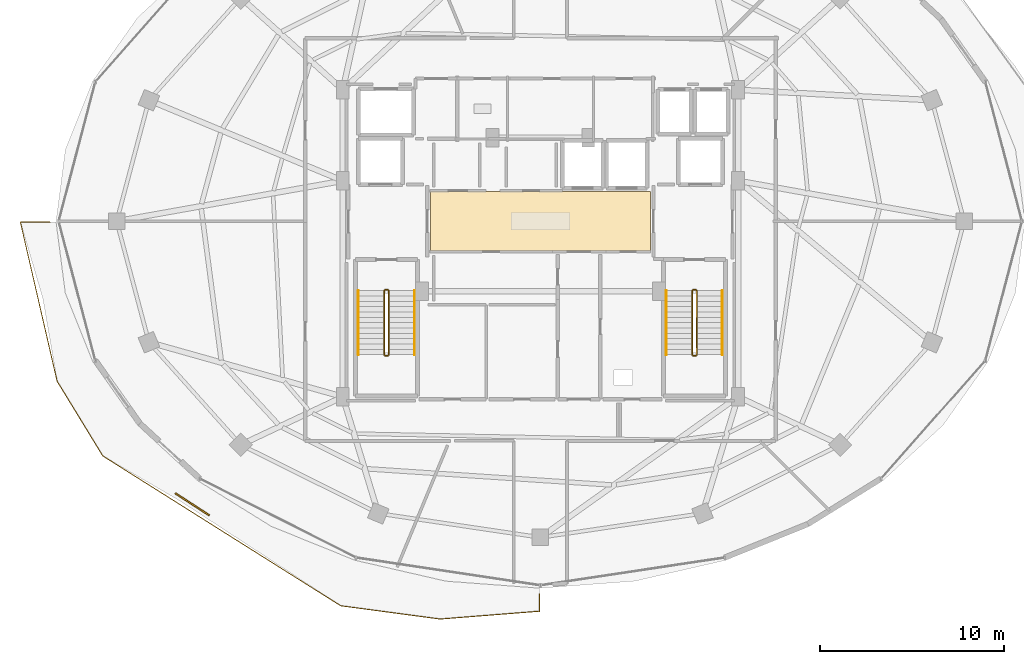
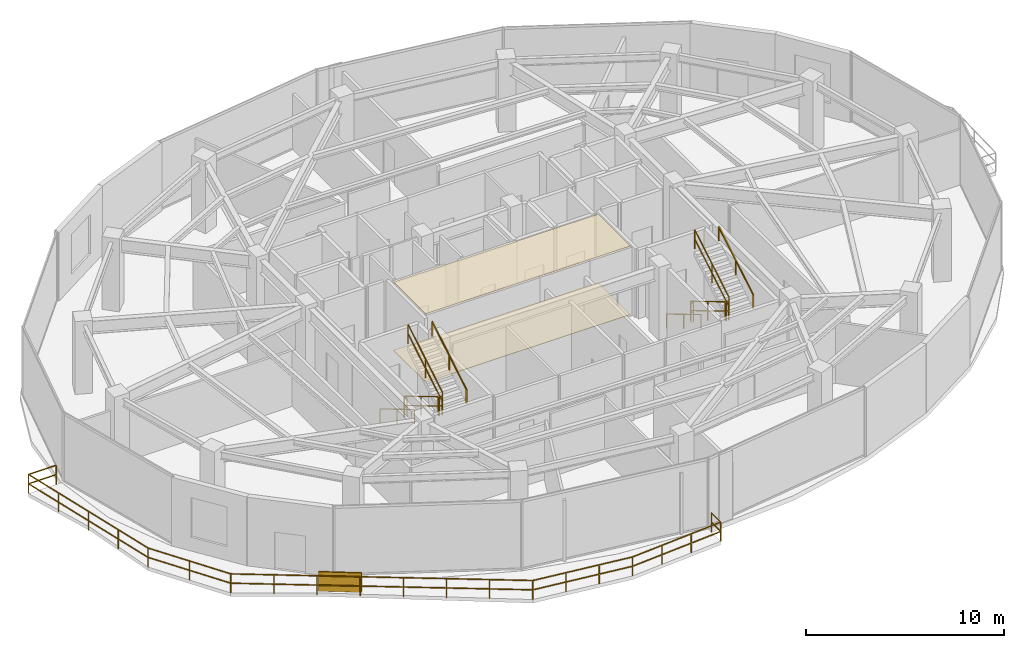
# One storey, part 25 of 27: 14 railings, 2 coverings, 1 shading device.
"""IFC4 building model written with IfcOpenShell, lengths in metres."""

from ifc_helpers import new_model, si_unit, direction, frame, origin, origin_2d, place, context, subcontext, project, spatial, polyline, rectangle, outline, extrude, material, layer, layer_set, type_object, element, save


model = new_model("IFC4")

# Units and contexts
model_context = context("Model", 3, precision=1e-05, world=origin(), true_north=direction((0.0, 1.0)))
body_context = subcontext(model_context, "Body", "Model", "MODEL_VIEW")
ifc_project = project(units=[si_unit("LENGTHUNIT", "METRE"), si_unit("AREAUNIT", "SQUARE_METRE"), si_unit("VOLUMEUNIT", "CUBIC_METRE"), si_unit("PLANEANGLEUNIT", "RADIAN"), si_unit("MASSUNIT", "GRAM", prefix="KILO")], contexts=[model_context])

# Site, building, storey
site_placement = place(None, origin())
site = spatial("IfcSite", under=ifc_project, at=site_placement, CompositionType="ELEMENT")
building_placement = place(site_placement, origin())
building = spatial("IfcBuilding", under=site, at=building_placement, Name="Vorneva Point Tower", CompositionType="ELEMENT")
storey_placement = place(building_placement, frame((0.0, 0.0, 229.75)))
storey = spatial("IfcBuildingStorey", under=building, at=storey_placement, Name="L62", CompositionType="ELEMENT", Elevation=229.75)

# Coverings
ifc_material_1 = material(Name="Perforated acoustic aluminium baffle ceiling", Category="aluminium")
ifc_layer_1 = layer(ifc_material_1, 0.030029296875)
ifc_layer_set_1 = layer_set([ifc_layer_1], Name="Perforated acoustic aluminium baffle ceiling")
covering_type_1 = type_object("IfcCoveringType", Name="COV-CEIL-BAF", PredefinedType="CEILING", material=ifc_layer_set_1)
covering_1_placement = place(storey_placement, frame((0.0, 0.0, 4.2099609375)))
element("IfcCovering", 1, at=covering_1_placement, inside=storey, type_object=covering_type_1, Name="L62 Lift Lobby Acoustic Baffle Ceiling", PredefinedType="CEILING", context=body_context, shape_type="SweptSolid", body=[
    extrude(outline(polyline([(32.02001953125, 24.3701171875), (43.97998046875, 24.3701171875), (43.97998046875, 27.6298828125), (32.02001953125, 27.6298828125), (32.02001953125, 24.3701171875)])), origin(), (0.0, 0.0, 1.0), 0.03515625),
])
ifc_material_2 = material(Name="Polished Ural granite terrazzo", Category="masonry")
ifc_layer_2 = layer(ifc_material_2, 0.02490234375)
ifc_layer_set_2 = layer_set([ifc_layer_2], Name="Polished Ural granite terrazzo")
covering_type_2 = type_object("IfcCoveringType", Name="COV-FLR-TRZ", PredefinedType="FLOORING", material=ifc_layer_set_2)
covering_2_placement = place(storey_placement, frame((0.0, 0.0, -0.0048828125)))
element("IfcCovering", 2, at=covering_2_placement, inside=storey, type_object=covering_type_2, Name="L62 Lift Lobby Floor Finish", PredefinedType="FLOORING", context=body_context, shape_type="SweptSolid", body=[
    extrude(outline(polyline([(32.02001953125, 24.3701171875), (43.97998046875, 24.3701171875), (43.97998046875, 27.6298828125), (32.02001953125, 27.6298828125), (32.02001953125, 24.3701171875)])), origin(), (0.0, 0.0, 1.0), 0.02978515625),
])

# Railings
ifc_material_3 = material(Name="Pale anodised aluminium", Category="aluminium")
railing_type_1 = type_object("IfcRailingType", Name="RL-BAL-1200", PredefinedType="BALUSTRADE", material=ifc_material_3)
railing_1_placement = place(storey_placement, frame((37.949951171875, 4.7861328125, 0.0)))
element("IfcRailing", 3, at=railing_1_placement, inside=storey, type_object=railing_type_1, Name="L62 Wave Balcony Balustrade SW.1", PredefinedType="BALUSTRADE", context=body_context, shape_type="SweptSolid", body=[
    extrude(rectangle(XDim=0.048095703125, YDim=0.048095703125, at=origin_2d()), frame((0.0, 0.0, 1.17578125), z_axis=(0.0, 1.0, 0.0), x_axis=(-1.0, 0.0, 0.0)), (0.0, 0.0, 1.0), 0.936767578125),
    extrude(rectangle(XDim=0.048095703125, YDim=0.048095703125, at=origin_2d()), frame((0.0, 0.0, 0.60009765625), z_axis=(0.0, 1.0, 0.0), x_axis=(-1.0, 0.0, 0.0)), (0.0, 0.0, 1.0), 0.936767578125),
    extrude(rectangle(XDim=0.0419921875, YDim=0.0419921875, at=origin_2d()), origin(), (0.0, 0.0, 1.0), 1.15185546875),
    extrude(rectangle(XDim=0.0419921875, YDim=0.0419921875, at=origin_2d()), frame((0.0, 0.936767578125, 0.0)), (0.0, 0.0, 1.0), 1.15185546875),
])
railing_2_placement = place(storey_placement, frame((11.333740234375, 25.949951171875, 0.0)))
element("IfcRailing", 4, at=railing_2_placement, inside=storey, type_object=railing_type_1, Name="L62 Wave Balcony Balustrade SW.2", PredefinedType="BALUSTRADE", context=body_context, shape_type="SweptSolid", body=[
    extrude(rectangle(XDim=0.048095703125, YDim=0.048095703125, at=origin_2d()), frame((0.0, 0.0, 1.17578125), z_axis=(-1.0, 0.0, 0.0), x_axis=(0.0, -1.0, 0.0)), (0.0, 0.0, 1.0), 1.619140625),
    extrude(rectangle(XDim=0.048095703125, YDim=0.048095703125, at=origin_2d()), frame((0.0, 0.0, 0.60009765625), z_axis=(-1.0, 0.0, 0.0), x_axis=(0.0, -1.0, 0.0)), (0.0, 0.0, 1.0), 1.619140625),
    extrude(rectangle(XDim=0.048095703125, YDim=0.048095703125, at=origin_2d()), frame((-1.619140625, 0.0, 1.17578125), z_axis=(0.224690824874, -0.974430106892, 0.0), x_axis=(0.974430106892, 0.224690824874, 0.0)), (0.0, 0.0, 1.0), 8.87939453125),
    extrude(rectangle(XDim=0.048095703125, YDim=0.048095703125, at=origin_2d()), frame((-1.619140625, 0.0, 0.60009765625), z_axis=(0.224690824874, -0.974430106892, 0.0), x_axis=(0.974430106892, 0.224690824874, 0.0)), (0.0, 0.0, 1.0), 8.87939453125),
    extrude(rectangle(XDim=0.048095703125, YDim=0.048095703125, at=origin_2d()), frame((0.3759765625, -8.65234375, 1.17578125), z_axis=(0.52144793487, -0.85328310145, 0.0), x_axis=(0.85328310145, 0.52144793487, 0.0)), (0.0, 0.0, 1.0), 4.76025390625),
    extrude(rectangle(XDim=0.048095703125, YDim=0.048095703125, at=origin_2d()), frame((0.3759765625, -8.65234375, 0.60009765625), z_axis=(0.52144793487, -0.85328310145, 0.0), x_axis=(0.85328310145, 0.52144793487, 0.0)), (0.0, 0.0, 1.0), 4.76025390625),
    extrude(rectangle(XDim=0.048095703125, YDim=0.048095703125, at=origin_2d()), frame((2.858154296875, -12.714111328125, 1.17578125), z_axis=(0.8461672852, -0.532917372073, 0.0), x_axis=(0.532917372073, 0.8461672852, 0.0)), (0.0, 0.0, 1.0), 15.30078125),
    extrude(rectangle(XDim=0.048095703125, YDim=0.048095703125, at=origin_2d()), frame((2.858154296875, -12.714111328125, 0.60009765625), z_axis=(0.8461672852, -0.532917372073, 0.0), x_axis=(0.532917372073, 0.8461672852, 0.0)), (0.0, 0.0, 1.0), 15.30078125),
    extrude(rectangle(XDim=0.048095703125, YDim=0.048095703125, at=origin_2d()), frame((15.80517578125, -20.8681640625, 1.17578125), z_axis=(0.991224384092, -0.13219009184, 0.0), x_axis=(0.13219009184, 0.991224384092, 0.0)), (0.0, 0.0, 1.0), 5.45751953125),
    extrude(rectangle(XDim=0.048095703125, YDim=0.048095703125, at=origin_2d()), frame((15.80517578125, -20.8681640625, 0.60009765625), z_axis=(0.991224384092, -0.13219009184, 0.0), x_axis=(0.13219009184, 0.991224384092, 0.0)), (0.0, 0.0, 1.0), 5.45751953125),
    extrude(rectangle(XDim=0.048095703125, YDim=0.048095703125, at=origin_2d()), frame((21.21484375, -21.589599609375, 1.17578125), z_axis=(0.996907445198, 0.07858464041, 0.0), x_axis=(-0.07858464041, 0.996907445198, 0.0)), (0.0, 0.0, 1.0), 5.418212890625),
    extrude(rectangle(XDim=0.048095703125, YDim=0.048095703125, at=origin_2d()), frame((21.21484375, -21.589599609375, 0.60009765625), z_axis=(0.996907445198, 0.07858464041, 0.0), x_axis=(-0.07858464041, 0.996907445198, 0.0)), (0.0, 0.0, 1.0), 5.418212890625),
    extrude(rectangle(XDim=0.0419921875, YDim=0.0419921875, at=origin_2d()), origin(), (0.0, 0.0, 1.0), 1.15185546875),
    extrude(rectangle(XDim=0.0419921875, YDim=0.0419921875, at=origin_2d()), frame((-1.619140625, 0.0, 0.0)), (0.0, 0.0, 1.0), 1.15185546875),
    extrude(rectangle(XDim=0.0419921875, YDim=0.0419921875, at=origin_2d()), frame((-1.120361328125, -2.1630859375, 0.0)), (0.0, 0.0, 1.0), 1.15185546875),
    extrude(rectangle(XDim=0.0419921875, YDim=0.0419921875, at=origin_2d()), frame((-0.62158203125, -4.326171875, 0.0)), (0.0, 0.0, 1.0), 1.15185546875),
    extrude(rectangle(XDim=0.0419921875, YDim=0.0419921875, at=origin_2d()), frame((-0.122802734375, -6.4892578125, 0.0)), (0.0, 0.0, 1.0), 1.15185546875),
    extrude(rectangle(XDim=0.0419921875, YDim=0.0419921875, at=origin_2d()), frame((0.3759765625, -8.65234375, 0.0)), (0.0, 0.0, 1.0), 1.15185546875),
    extrude(rectangle(XDim=0.0419921875, YDim=0.0419921875, at=origin_2d()), frame((1.6171875, -10.68310546875, 0.0)), (0.0, 0.0, 1.0), 1.15185546875),
    extrude(rectangle(XDim=0.0419921875, YDim=0.0419921875, at=origin_2d()), frame((2.858154296875, -12.714111328125, 0.0)), (0.0, 0.0, 1.0), 1.15185546875),
    extrude(rectangle(XDim=0.0419921875, YDim=0.0419921875, at=origin_2d()), frame((4.707763671875, -13.87890625, 0.0)), (0.0, 0.0, 1.0), 1.15185546875),
    extrude(rectangle(XDim=0.0419921875, YDim=0.0419921875, at=origin_2d()), frame((6.557373046875, -15.0439453125, 0.0)), (0.0, 0.0, 1.0), 1.15185546875),
    extrude(rectangle(XDim=0.0419921875, YDim=0.0419921875, at=origin_2d()), frame((8.406982421875, -16.208740234375, 0.0)), (0.0, 0.0, 1.0), 1.15185546875),
    extrude(rectangle(XDim=0.0419921875, YDim=0.0419921875, at=origin_2d()), frame((10.25634765625, -17.37353515625, 0.0)), (0.0, 0.0, 1.0), 1.15185546875),
    extrude(rectangle(XDim=0.0419921875, YDim=0.0419921875, at=origin_2d()), frame((12.10595703125, -18.538330078125, 0.0)), (0.0, 0.0, 1.0), 1.15185546875),
    extrude(rectangle(XDim=0.0419921875, YDim=0.0419921875, at=origin_2d()), frame((13.95556640625, -19.703369140625, 0.0)), (0.0, 0.0, 1.0), 1.15185546875),
    extrude(rectangle(XDim=0.0419921875, YDim=0.0419921875, at=origin_2d()), frame((15.80517578125, -20.8681640625, 0.0)), (0.0, 0.0, 1.0), 1.15185546875),
    extrude(rectangle(XDim=0.0419921875, YDim=0.0419921875, at=origin_2d()), frame((17.6083984375, -21.108642578125, 0.0)), (0.0, 0.0, 1.0), 1.15185546875),
    extrude(rectangle(XDim=0.0419921875, YDim=0.0419921875, at=origin_2d()), frame((19.41162109375, -21.34912109375, 0.0)), (0.0, 0.0, 1.0), 1.15185546875),
    extrude(rectangle(XDim=0.0419921875, YDim=0.0419921875, at=origin_2d()), frame((21.21484375, -21.589599609375, 0.0)), (0.0, 0.0, 1.0), 1.15185546875),
    extrude(rectangle(XDim=0.0419921875, YDim=0.0419921875, at=origin_2d()), frame((23.015380859375, -21.44775390625, 0.0)), (0.0, 0.0, 1.0), 1.15185546875),
    extrude(rectangle(XDim=0.0419921875, YDim=0.0419921875, at=origin_2d()), frame((24.815673828125, -21.3056640625, 0.0)), (0.0, 0.0, 1.0), 1.15185546875),
    extrude(rectangle(XDim=0.0419921875, YDim=0.0419921875, at=origin_2d()), frame((26.6162109375, -21.163818359375, 0.0)), (0.0, 0.0, 1.0), 1.15185546875),
])
ifc_material_4 = material(Name="Brushed stainless steel S304", Category="steel")
railing_type_2 = type_object("IfcRailingType", Name="RL-HND-920", PredefinedType="HANDRAIL", material=ifc_material_4)
railing_3_placement = place(storey_placement, frame((28.10009765625, 22.219970703125, 0.173095703125)))
element("IfcRailing", 5, at=railing_3_placement, inside=storey, type_object=railing_type_2, Name="L62 ST1 stair handrail 1", PredefinedType="HANDRAIL", context=body_context, shape_type="SweptSolid", body=[
    extrude(rectangle(XDim=0.048095703125, YDim=0.048095703125, at=origin_2d()), frame((0.0, 0.0, 0.8759765625), z_axis=(0.0, -0.858697190188, 0.512483302717), x_axis=(1.0, 0.0, 0.0)), (0.0, 0.0, 1.0), 4.052734375),
    extrude(rectangle(XDim=0.0419921875, YDim=0.0419921875, at=origin_2d()), origin(), (0.0, 0.0, 1.0), 0.851806640625),
    extrude(rectangle(XDim=0.0419921875, YDim=0.0419921875, at=origin_2d()), frame((0.0, -1.739990234375, 1.03857421875)), (0.0, 0.0, 1.0), 0.851806640625),
    extrude(rectangle(XDim=0.0419921875, YDim=0.0419921875, at=origin_2d()), frame((0.0, -3.47998046875, 2.076904296875)), (0.0, 0.0, 1.0), 0.851806640625),
])
railing_4_placement = place(storey_placement, frame((31.14990234375, 18.739990234375, 2.423095703125)))
element("IfcRailing", 6, at=railing_4_placement, inside=storey, type_object=railing_type_2, Name="L62 ST1 stair handrail 2", PredefinedType="HANDRAIL", context=body_context, shape_type="SweptSolid", body=[
    extrude(rectangle(XDim=0.048095703125, YDim=0.048095703125, at=origin_2d()), frame((0.0, 0.0, 0.8759765625), z_axis=(0.0, 0.858697190188, 0.512483302717), x_axis=(-1.0, 0.0, 0.0)), (0.0, 0.0, 1.0), 4.052734375),
    extrude(rectangle(XDim=0.0419921875, YDim=0.0419921875, at=origin_2d()), origin(), (0.0, 0.0, 1.0), 0.851806640625),
    extrude(rectangle(XDim=0.0419921875, YDim=0.0419921875, at=origin_2d()), frame((0.0, 1.739990234375, 1.03857421875)), (0.0, 0.0, 1.0), 0.851806640625),
    extrude(rectangle(XDim=0.0419921875, YDim=0.0419921875, at=origin_2d()), frame((0.0, 3.47998046875, 2.076904296875)), (0.0, 0.0, 1.0), 0.851806640625),
])
railing_5_placement = place(storey_placement, frame((44.85009765625, 22.219970703125, 0.173095703125)))
element("IfcRailing", 7, at=railing_5_placement, inside=storey, type_object=railing_type_2, Name="L62 ST2 stair handrail 1", PredefinedType="HANDRAIL", context=body_context, shape_type="SweptSolid", body=[
    extrude(rectangle(XDim=0.048095703125, YDim=0.048095703125, at=origin_2d()), frame((0.0, 0.0, 0.8759765625), z_axis=(0.0, -0.858697190188, 0.512483302717), x_axis=(1.0, 0.0, 0.0)), (0.0, 0.0, 1.0), 4.052734375),
    extrude(rectangle(XDim=0.0419921875, YDim=0.0419921875, at=origin_2d()), origin(), (0.0, 0.0, 1.0), 0.851806640625),
    extrude(rectangle(XDim=0.0419921875, YDim=0.0419921875, at=origin_2d()), frame((0.0, -1.739990234375, 1.03857421875)), (0.0, 0.0, 1.0), 0.851806640625),
    extrude(rectangle(XDim=0.0419921875, YDim=0.0419921875, at=origin_2d()), frame((0.0, -3.47998046875, 2.076904296875)), (0.0, 0.0, 1.0), 0.851806640625),
])
railing_6_placement = place(storey_placement, frame((47.89990234375, 18.739990234375, 2.423095703125)))
element("IfcRailing", 8, at=railing_6_placement, inside=storey, type_object=railing_type_2, Name="L62 ST2 stair handrail 2", PredefinedType="HANDRAIL", context=body_context, shape_type="SweptSolid", body=[
    extrude(rectangle(XDim=0.048095703125, YDim=0.048095703125, at=origin_2d()), frame((0.0, 0.0, 0.8759765625), z_axis=(0.0, 0.858697190188, 0.512483302717), x_axis=(-1.0, 0.0, 0.0)), (0.0, 0.0, 1.0), 4.052734375),
    extrude(rectangle(XDim=0.0419921875, YDim=0.0419921875, at=origin_2d()), origin(), (0.0, 0.0, 1.0), 0.851806640625),
    extrude(rectangle(XDim=0.0419921875, YDim=0.0419921875, at=origin_2d()), frame((0.0, 1.739990234375, 1.03857421875)), (0.0, 0.0, 1.0), 0.851806640625),
    extrude(rectangle(XDim=0.0419921875, YDim=0.0419921875, at=origin_2d()), frame((0.0, 3.47998046875, 2.076904296875)), (0.0, 0.0, 1.0), 0.851806640625),
])
railing_type_3 = type_object("IfcRailingType", Name="RL-STG-1100", PredefinedType="GUARDRAIL", material=ifc_material_4)
railing_7_placement = place(storey_placement, frame((29.5, 22.219970703125, 0.173095703125)))
element("IfcRailing", 9, at=railing_7_placement, inside=storey, type_object=railing_type_3, Name="L62 ST1 stair guard 1", PredefinedType="GUARDRAIL", context=body_context, shape_type="SweptSolid", body=[
    extrude(rectangle(XDim=0.048095703125, YDim=0.048095703125, at=origin_2d()), frame((0.0, 0.0, 1.17578125), z_axis=(0.0, -0.858697190188, 0.512483302717), x_axis=(1.0, 0.0, 0.0)), (0.0, 0.0, 1.0), 4.052734375),
    extrude(rectangle(XDim=0.048095703125, YDim=0.048095703125, at=origin_2d()), frame((0.0, 0.0, 0.60009765625), z_axis=(0.0, -0.858697190188, 0.512483302717), x_axis=(1.0, 0.0, 0.0)), (0.0, 0.0, 1.0), 4.052734375),
    extrude(rectangle(XDim=0.0419921875, YDim=0.0419921875, at=origin_2d()), origin(), (0.0, 0.0, 1.0), 1.15185546875),
    extrude(rectangle(XDim=0.0419921875, YDim=0.0419921875, at=origin_2d()), frame((0.0, -1.739990234375, 1.03857421875)), (0.0, 0.0, 1.0), 1.15185546875),
    extrude(rectangle(XDim=0.0419921875, YDim=0.0419921875, at=origin_2d()), frame((0.0, -3.47998046875, 2.076904296875)), (0.0, 0.0, 1.0), 1.15185546875),
])
railing_8_placement = place(storey_placement, frame((29.550048828125, 18.68994140625, 2.25)))
element("IfcRailing", 10, at=railing_8_placement, inside=storey, type_object=railing_type_3, Name="L62 ST1 stair guard 2", PredefinedType="GUARDRAIL", context=body_context, shape_type="SweptSolid", body=[
    extrude(rectangle(XDim=0.048095703125, YDim=0.048095703125, at=origin_2d()), frame((0.0, 0.0, 1.17578125), z_axis=(1.0, 0.0, 0.0), x_axis=(0.0, 1.0, 0.0)), (0.0, 0.0, 1.0), 0.14990234375),
    extrude(rectangle(XDim=0.048095703125, YDim=0.048095703125, at=origin_2d()), frame((0.0, 0.0, 0.60009765625), z_axis=(1.0, 0.0, 0.0), x_axis=(0.0, 1.0, 0.0)), (0.0, 0.0, 1.0), 0.14990234375),
    extrude(rectangle(XDim=0.0419921875, YDim=0.0419921875, at=origin_2d()), origin(), (0.0, 0.0, 1.0), 1.15185546875),
    extrude(rectangle(XDim=0.0419921875, YDim=0.0419921875, at=origin_2d()), frame((0.14990234375, 0.0, 0.0)), (0.0, 0.0, 1.0), 1.15185546875),
])
railing_9_placement = place(storey_placement, frame((29.75, 18.739990234375, 2.423095703125)))
element("IfcRailing", 11, at=railing_9_placement, inside=storey, type_object=railing_type_3, Name="L62 ST1 stair guard 3", PredefinedType="GUARDRAIL", context=body_context, shape_type="SweptSolid", body=[
    extrude(rectangle(XDim=0.048095703125, YDim=0.048095703125, at=origin_2d()), frame((0.0, 0.0, 1.17578125), z_axis=(0.0, 0.858697190188, 0.512483302717), x_axis=(-1.0, 0.0, 0.0)), (0.0, 0.0, 1.0), 4.052734375),
    extrude(rectangle(XDim=0.048095703125, YDim=0.048095703125, at=origin_2d()), frame((0.0, 0.0, 0.60009765625), z_axis=(0.0, 0.858697190188, 0.512483302717), x_axis=(-1.0, 0.0, 0.0)), (0.0, 0.0, 1.0), 4.052734375),
    extrude(rectangle(XDim=0.0419921875, YDim=0.0419921875, at=origin_2d()), origin(), (0.0, 0.0, 1.0), 1.15185546875),
    extrude(rectangle(XDim=0.0419921875, YDim=0.0419921875, at=origin_2d()), frame((0.0, 1.739990234375, 1.03857421875)), (0.0, 0.0, 1.0), 1.15185546875),
    extrude(rectangle(XDim=0.0419921875, YDim=0.0419921875, at=origin_2d()), frame((0.0, 3.47998046875, 2.076904296875)), (0.0, 0.0, 1.0), 1.15185546875),
])
railing_10_placement = place(storey_placement, frame((29.550048828125, 22.27001953125, 0.0)))
element("IfcRailing", 12, at=railing_10_placement, inside=storey, type_object=railing_type_3, Name="L62 ST1 stair guard 4", PredefinedType="GUARDRAIL", context=body_context, shape_type="SweptSolid", body=[
    extrude(rectangle(XDim=0.048095703125, YDim=0.048095703125, at=origin_2d()), frame((0.0, 0.0, 1.17578125), z_axis=(1.0, 0.0, 0.0), x_axis=(0.0, 1.0, 0.0)), (0.0, 0.0, 1.0), 0.14990234375),
    extrude(rectangle(XDim=0.048095703125, YDim=0.048095703125, at=origin_2d()), frame((0.0, 0.0, 0.60009765625), z_axis=(1.0, 0.0, 0.0), x_axis=(0.0, 1.0, 0.0)), (0.0, 0.0, 1.0), 0.14990234375),
    extrude(rectangle(XDim=0.0419921875, YDim=0.0419921875, at=origin_2d()), origin(), (0.0, 0.0, 1.0), 1.15185546875),
    extrude(rectangle(XDim=0.0419921875, YDim=0.0419921875, at=origin_2d()), frame((0.14990234375, 0.0, 0.0)), (0.0, 0.0, 1.0), 1.15185546875),
])
railing_11_placement = place(storey_placement, frame((46.25, 22.219970703125, 0.173095703125)))
element("IfcRailing", 13, at=railing_11_placement, inside=storey, type_object=railing_type_3, Name="L62 ST2 stair guard 1", PredefinedType="GUARDRAIL", context=body_context, shape_type="SweptSolid", body=[
    extrude(rectangle(XDim=0.048095703125, YDim=0.048095703125, at=origin_2d()), frame((0.0, 0.0, 1.17578125), z_axis=(0.0, -0.858697190188, 0.512483302717), x_axis=(1.0, 0.0, 0.0)), (0.0, 0.0, 1.0), 4.052734375),
    extrude(rectangle(XDim=0.048095703125, YDim=0.048095703125, at=origin_2d()), frame((0.0, 0.0, 0.60009765625), z_axis=(0.0, -0.858697190188, 0.512483302717), x_axis=(1.0, 0.0, 0.0)), (0.0, 0.0, 1.0), 4.052734375),
    extrude(rectangle(XDim=0.0419921875, YDim=0.0419921875, at=origin_2d()), origin(), (0.0, 0.0, 1.0), 1.15185546875),
    extrude(rectangle(XDim=0.0419921875, YDim=0.0419921875, at=origin_2d()), frame((0.0, -1.739990234375, 1.03857421875)), (0.0, 0.0, 1.0), 1.15185546875),
    extrude(rectangle(XDim=0.0419921875, YDim=0.0419921875, at=origin_2d()), frame((0.0, -3.47998046875, 2.076904296875)), (0.0, 0.0, 1.0), 1.15185546875),
])
railing_12_placement = place(storey_placement, frame((46.300048828125, 18.68994140625, 2.25)))
element("IfcRailing", 14, at=railing_12_placement, inside=storey, type_object=railing_type_3, Name="L62 ST2 stair guard 2", PredefinedType="GUARDRAIL", context=body_context, shape_type="SweptSolid", body=[
    extrude(rectangle(XDim=0.048095703125, YDim=0.048095703125, at=origin_2d()), frame((0.0, 0.0, 1.17578125), z_axis=(1.0, 0.0, 0.0), x_axis=(0.0, 1.0, 0.0)), (0.0, 0.0, 1.0), 0.14990234375),
    extrude(rectangle(XDim=0.048095703125, YDim=0.048095703125, at=origin_2d()), frame((0.0, 0.0, 0.60009765625), z_axis=(1.0, 0.0, 0.0), x_axis=(0.0, 1.0, 0.0)), (0.0, 0.0, 1.0), 0.14990234375),
    extrude(rectangle(XDim=0.0419921875, YDim=0.0419921875, at=origin_2d()), origin(), (0.0, 0.0, 1.0), 1.15185546875),
    extrude(rectangle(XDim=0.0419921875, YDim=0.0419921875, at=origin_2d()), frame((0.14990234375, 0.0, 0.0)), (0.0, 0.0, 1.0), 1.15185546875),
])
railing_13_placement = place(storey_placement, frame((46.5, 18.739990234375, 2.423095703125)))
element("IfcRailing", 15, at=railing_13_placement, inside=storey, type_object=railing_type_3, Name="L62 ST2 stair guard 3", PredefinedType="GUARDRAIL", context=body_context, shape_type="SweptSolid", body=[
    extrude(rectangle(XDim=0.048095703125, YDim=0.048095703125, at=origin_2d()), frame((0.0, 0.0, 1.17578125), z_axis=(0.0, 0.858697190188, 0.512483302717), x_axis=(-1.0, 0.0, 0.0)), (0.0, 0.0, 1.0), 4.052734375),
    extrude(rectangle(XDim=0.048095703125, YDim=0.048095703125, at=origin_2d()), frame((0.0, 0.0, 0.60009765625), z_axis=(0.0, 0.858697190188, 0.512483302717), x_axis=(-1.0, 0.0, 0.0)), (0.0, 0.0, 1.0), 4.052734375),
    extrude(rectangle(XDim=0.0419921875, YDim=0.0419921875, at=origin_2d()), origin(), (0.0, 0.0, 1.0), 1.15185546875),
    extrude(rectangle(XDim=0.0419921875, YDim=0.0419921875, at=origin_2d()), frame((0.0, 1.739990234375, 1.03857421875)), (0.0, 0.0, 1.0), 1.15185546875),
    extrude(rectangle(XDim=0.0419921875, YDim=0.0419921875, at=origin_2d()), frame((0.0, 3.47998046875, 2.076904296875)), (0.0, 0.0, 1.0), 1.15185546875),
])
railing_14_placement = place(storey_placement, frame((46.300048828125, 22.27001953125, 0.0)))
element("IfcRailing", 16, at=railing_14_placement, inside=storey, type_object=railing_type_3, Name="L62 ST2 stair guard 4", PredefinedType="GUARDRAIL", context=body_context, shape_type="SweptSolid", body=[
    extrude(rectangle(XDim=0.048095703125, YDim=0.048095703125, at=origin_2d()), frame((0.0, 0.0, 1.17578125), z_axis=(1.0, 0.0, 0.0), x_axis=(0.0, 1.0, 0.0)), (0.0, 0.0, 1.0), 0.14990234375),
    extrude(rectangle(XDim=0.048095703125, YDim=0.048095703125, at=origin_2d()), frame((0.0, 0.0, 0.60009765625), z_axis=(1.0, 0.0, 0.0), x_axis=(0.0, 1.0, 0.0)), (0.0, 0.0, 1.0), 0.14990234375),
    extrude(rectangle(XDim=0.0419921875, YDim=0.0419921875, at=origin_2d()), origin(), (0.0, 0.0, 1.0), 1.15185546875),
    extrude(rectangle(XDim=0.0419921875, YDim=0.0419921875, at=origin_2d()), frame((0.14990234375, 0.0, 0.0)), (0.0, 0.0, 1.0), 1.15185546875),
])

# Shading device
shading_device_type = type_object("IfcShadingDeviceType", Name="SHD-JAL-1200", PredefinedType="JALOUSIE", material=ifc_material_3)
shading_device_placement = place(storey_placement, frame((19.059814453125, 10.6044921875, -0.02001953125), z_axis=(0.0, 0.0, 1.0), x_axis=(0.837794958672, -0.545984988093, 0.0)))
element("IfcShadingDevice", 17, at=shading_device_placement, inside=storey, type_object=shading_device_type, Name="L62 Balcony Vertical-Greenery Planter Screen SW.2", PredefinedType="JALOUSIE", context=body_context, shape_type="SweptSolid", body=[
    extrude(rectangle(XDim=2.199951171875, YDim=0.080078125, at=origin_2d()), origin(), (0.0, 0.0, 1.0), 1.199951171875),
])

save(model, "model.ifc")
